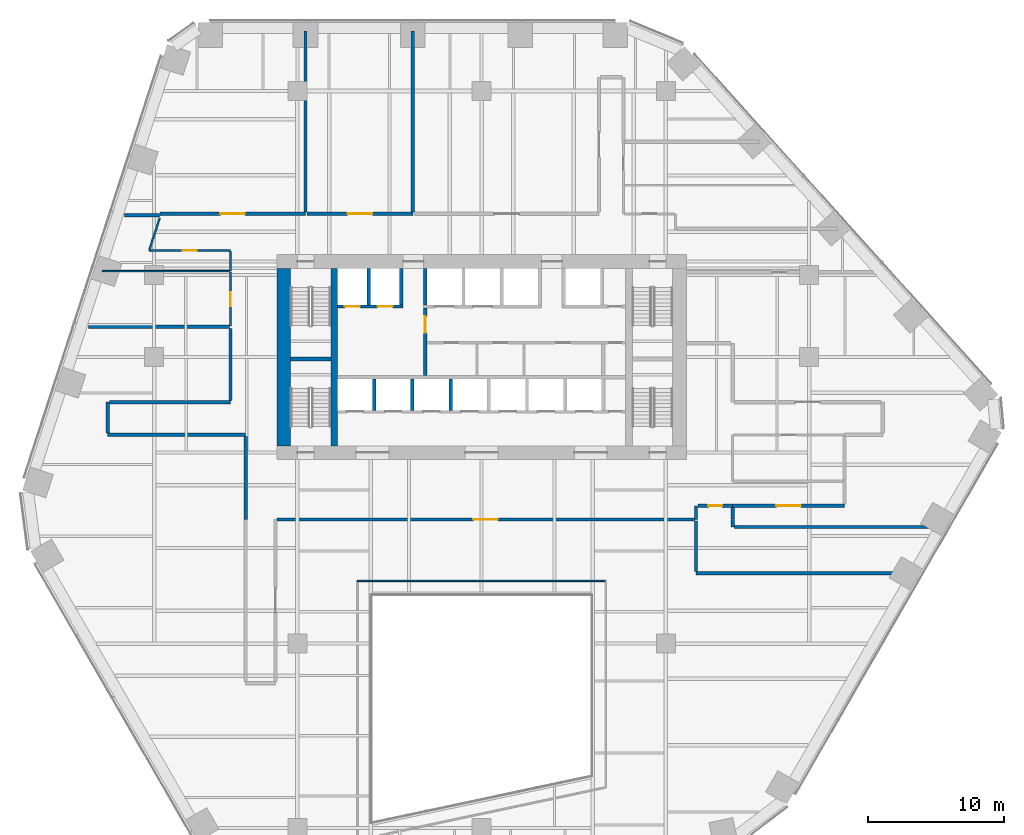
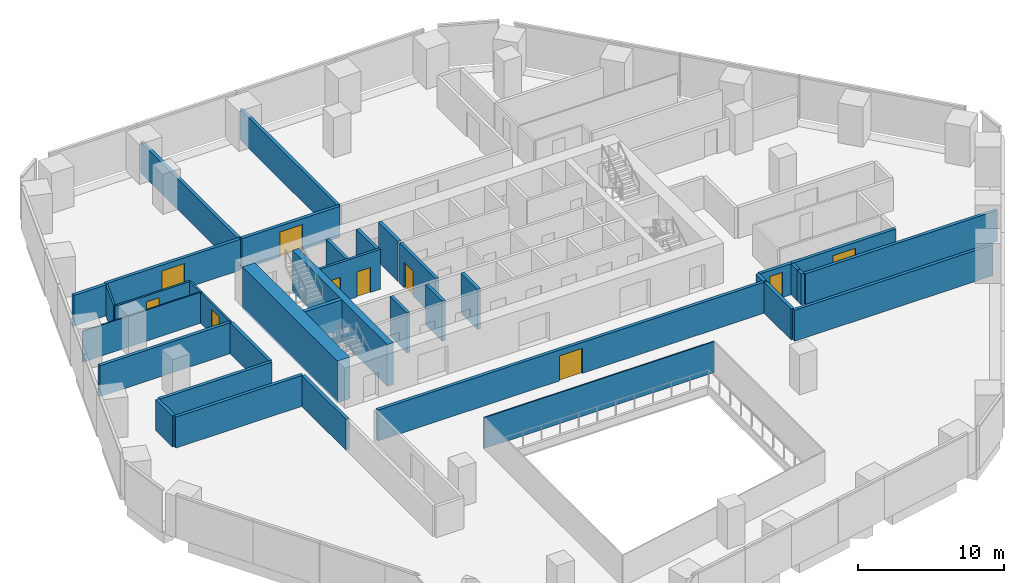
# One storey, part 14 of 20: 37 walls, 10 doors, 10 openings.
"""IFC4 building model written with IfcOpenShell, lengths in metres."""

import ifcopenshell
import ifcopenshell.guid

model = None  # the IFC model being written
_history = None  # IfcOwnerHistory: only IFC2X3 demands one
_inside = {}  # id of a spatial element -> (the spatial element, [elements in it])
_under = {}  # id of a project, library or spatial element -> (it, [spatial elements below it])
_declared = {}  # id of a project -> (the project, [libraries it declares])
_typed = {}  # id of a type object -> (the type object, [elements of that type])
_made_of = {}  # id of a material, layer set ... -> (it, [elements and type objects made of it])


def new_model(schema):
    """Start an empty IFC model of exactly this schema.

    Asked for "IFC4X3", IfcOpenShell would pick the latest addendum, in which some entities
    have other attributes; the version numbers below select the first issue.
    IFC2X3 requires an IfcOwnerHistory on every rooted entity: one is made here for all.
    """
    global model, _history
    if schema == "IFC4X3":
        model = ifcopenshell.file(schema_version=(4, 3, 0, 0))
    else:
        model = ifcopenshell.file(schema=schema)
    _inside.clear()
    _under.clear()
    _declared.clear()
    _typed.clear()
    _made_of.clear()
    _history = None
    if model.schema == "IFC2X3":
        org = make("IfcOrganization", Name="unknown")
        user = make(
            "IfcPersonAndOrganization",
            ThePerson=make("IfcPerson", FamilyName="unknown"),
            TheOrganization=org,
        )
        app = make(
            "IfcApplication",
            ApplicationDeveloper=org,
            Version="unknown",
            ApplicationFullName="unknown",
            ApplicationIdentifier="unknown",
        )
        _history = make(
            "IfcOwnerHistory",
            OwningUser=user,
            OwningApplication=app,
            ChangeAction="ADDED",
            CreationDate=0,
        )
    return model


def make(cls, **values):
    """One entity of the class cls with the attributes given. An attribute that is None is left unset."""
    return model.create_entity(
        cls, **{name: value for name, value in values.items() if value is not None}
    )


def rooted(cls, **values):
    """An entity with a GlobalId (a new one), such as an element, a storey or a relation."""
    return make(cls, GlobalId=ifcopenshell.guid.new(), OwnerHistory=_history, **values)


def si_unit(unit_type, name, prefix=None):
    """IfcSIUnit, for example si_unit("LENGTHUNIT", "METRE", prefix="MILLI")."""
    return make("IfcSIUnit", UnitType=unit_type, Prefix=prefix, Name=name)


def assignment(units):
    """IfcUnitAssignment: the units of a project."""
    return None if units is None else make("IfcUnitAssignment", Units=units)


def point(xyz):
    """IfcCartesianPoint."""
    return None if xyz is None else make("IfcCartesianPoint", Coordinates=xyz)


def direction(xyz):
    """IfcDirection."""
    return None if xyz is None else make("IfcDirection", DirectionRatios=xyz)


def frame(location, z_axis=None, x_axis=None):
    """IfcAxis2Placement3D, a coordinate frame: its origin and axes. An axis left out is left unset."""
    return make(
        "IfcAxis2Placement3D",
        Location=point(location),
        Axis=direction(z_axis),
        RefDirection=direction(x_axis),
    )


def frame_2d(location, x_axis=None):
    """IfcAxis2Placement2D, a coordinate frame in the plane: its origin and x axis."""
    return make(
        "IfcAxis2Placement2D", Location=point(location), RefDirection=direction(x_axis)
    )


def origin():
    """The frame at (0, 0, 0) with its axes left unset."""
    return frame((0.0, 0.0, 0.0))


def place(relative_to, where):
    """IfcLocalPlacement: puts the frame where relative to a parent placement (None: the world)."""
    return make(
        "IfcLocalPlacement", PlacementRelTo=relative_to, RelativePlacement=where
    )


def context(
    kind, dimensions, precision=None, world=None, true_north=None, identifier=None
):
    """IfcGeometricRepresentationContext, for example the 3D "Model" context."""
    return make(
        "IfcGeometricRepresentationContext",
        ContextIdentifier=identifier,
        ContextType=kind,
        CoordinateSpaceDimension=dimensions,
        Precision=precision,
        WorldCoordinateSystem=world,
        TrueNorth=true_north,
    )


def subcontext(parent, identifier, kind, view, scale=None):
    """IfcGeometricRepresentationSubContext, for example "Body" below "Model"."""
    return make(
        "IfcGeometricRepresentationSubContext",
        ContextIdentifier=identifier,
        ContextType=kind,
        ParentContext=parent,
        TargetScale=scale,
        TargetView=view,
    )


def project(units=None, contexts=None):
    """IfcProject with its units and contexts."""
    return rooted(
        "IfcProject",
        Name="project",
        RepresentationContexts=contexts,
        UnitsInContext=assignment(units),
    )


def spatial(cls, under=None, at=None, **own):
    """A site, building, storey or space (cls), placed at a placement, below another one or the project."""
    s = rooted(cls, ObjectPlacement=at, **own)
    if under is not None:
        _under.setdefault(under.id(), (under, []))[1].append(s)
    return s


def profile(cls, at=None, kind="AREA", **sizes):
    """A parametric profile (cls). Its sizes go by their IFC names, for example OverallWidth=200.0."""
    return make(cls, ProfileType=kind, Position=at, **sizes)


def rectangle(**sizes):
    """IfcRectangleProfileDef."""
    return profile("IfcRectangleProfileDef", **sizes)


def extrude(swept, where, along, depth):
    """IfcExtrudedAreaSolid: the profile swept, set in the frame where, extruded along a direction by depth."""
    return make(
        "IfcExtrudedAreaSolid",
        SweptArea=swept,
        Position=where,
        ExtrudedDirection=direction(along),
        Depth=depth,
    )


def shape(context_of_items, identifier, shape_type, items):
    """IfcShapeRepresentation: the items that make up one representation, for example the "Body"."""
    return make(
        "IfcShapeRepresentation",
        ContextOfItems=context_of_items,
        RepresentationIdentifier=identifier,
        RepresentationType=shape_type,
        Items=items,
    )


def material(Name=None, Category=None):
    """IfcMaterial."""
    return make("IfcMaterial", Name=Name, Category=Category)


def layer(
    of_material, thickness, ventilated=None, Name=None, Category=None, Priority=None
):
    """IfcMaterialLayer: one layer of a wall or slab, of a material (None: an air gap)."""
    return make(
        "IfcMaterialLayer",
        Material=of_material,
        LayerThickness=thickness,
        IsVentilated=ventilated,
        Name=Name,
        Category=Category,
        Priority=Priority,
    )


def layer_set(layers, Name=None):
    """IfcMaterialLayerSet."""
    return make("IfcMaterialLayerSet", MaterialLayers=layers, LayerSetName=Name)


def made_of(thing, what):
    """Note that an element or type object is made of a material, layer set ...; save() writes the relation."""
    if what is not None:
        _made_of.setdefault(what.id(), (what, []))[1].append(thing)
    return thing


def type_object(cls, material=None, **own):
    """A type object (cls), such as IfcWallType, which elements share."""
    return made_of(rooted(cls, **own), material)


def element(
    cls,
    number,
    at=None,
    inside=None,
    cuts=None,
    type_object=None,
    material=None,
    context=None,
    identifier="Body",
    shape_type=None,
    held_by="IfcProductDefinitionShape",
    body=None,
    shapes=None,
    **own,
):
    """One element of the class cls, such as IfcWall. Its Tag is "e" and its number.

    at: its placement. inside: the storey or other place that contains it. cuts: it is an
    opening in that element (IfcRelVoidsElement). A single representation is given by context,
    identifier, shape_type and body (its items); several are given by shapes. held_by: the class
    of the entity that holds the representations. save() writes the other relations.
    """
    e = rooted(cls, Tag="e%d" % number, ObjectPlacement=at, **own)
    if body is not None:
        shapes = [shape(context, identifier, shape_type, body)]
    if shapes is not None:
        e.Representation = make(held_by, Representations=shapes)
    if inside is not None:
        _inside.setdefault(inside.id(), (inside, []))[1].append(e)
    if cuts is not None:
        rooted(
            "IfcRelVoidsElement", RelatingBuildingElement=cuts, RelatedOpeningElement=e
        )
    if type_object is not None:
        _typed.setdefault(type_object.id(), (type_object, []))[1].append(e)
    return made_of(e, material)


def fill(opening, filler):
    """IfcRelFillsElement: the door or window that sits in an opening."""
    return rooted(
        "IfcRelFillsElement",
        RelatingOpeningElement=opening,
        RelatedBuildingElement=filler,
    )


def aggregate(whole, parts):
    """IfcRelAggregates: a whole, such as a stair, and the parts it consists of."""
    return rooted("IfcRelAggregates", RelatingObject=whole, RelatedObjects=parts)


def save(model, path):
    """Write the relations noted so far, then the file.

    IfcRelAggregates (storeys below a building ...), IfcRelContainedInSpatialStructure (elements
    in a storey), IfcRelDefinesByType, IfcRelAssociatesMaterial and IfcRelDeclares: one each for
    every whole, place, type object, material and project.
    """
    for whole, parts in _under.values():
        aggregate(whole, parts)
    for where, things in _inside.values():
        rooted(
            "IfcRelContainedInSpatialStructure",
            RelatedElements=things,
            RelatingStructure=where,
        )
    for kind, things in _typed.values():
        rooted("IfcRelDefinesByType", RelatedObjects=things, RelatingType=kind)
    for what, things in _made_of.values():
        rooted("IfcRelAssociatesMaterial", RelatedObjects=things, RelatingMaterial=what)
    for by, libraries in _declared.values():
        rooted("IfcRelDeclares", RelatingContext=by, RelatedDefinitions=libraries)
    model.write(path)


model = new_model("IFC4")

# Units and contexts
model_context = context("Model", 3, precision=1e-05, world=origin(), true_north=direction((0.0, 1.0)))
body_context = subcontext(model_context, "Body", "Model", "MODEL_VIEW")
ifc_project = project(units=[si_unit("LENGTHUNIT", "METRE"), si_unit("AREAUNIT", "SQUARE_METRE"), si_unit("VOLUMEUNIT", "CUBIC_METRE"), si_unit("PLANEANGLEUNIT", "RADIAN"), si_unit("MASSUNIT", "GRAM", prefix="KILO")], contexts=[model_context])

# Site, building, storey
site_placement = place(None, origin())
site = spatial("IfcSite", under=ifc_project, at=site_placement, CompositionType="ELEMENT")
building_placement = place(site_placement, origin())
building = spatial("IfcBuilding", under=site, at=building_placement, Name="Isthmus Gate Tower", CompositionType="ELEMENT")
storey_placement = place(building_placement, frame((0.0, 0.0, 72.5)))
storey = spatial("IfcBuildingStorey", under=building, at=storey_placement, Name="L16", CompositionType="ELEMENT", Elevation=72.5)

# Wall
ifc_material_1 = material(Name="Double-leaf acoustic stud wall, fire-rated", Category="gypsum")
ifc_layer_1 = layer(ifc_material_1, 0.25)
ifc_layer_set_1 = layer_set([ifc_layer_1], Name="ACOUSTIC WALL 250 60 MIN")
wall_type_1 = type_object("IfcWallType", Name="ACOUSTIC WALL 250 60 MIN", PredefinedType="PARTITIONING", material=ifc_layer_set_1)
wall_1_placement = place(storey_placement, frame((15.712890625, -3.39990234375, 0.0), z_axis=(0.0, 0.0, 1.0), x_axis=(0.0, -1.0, 0.0)))
element("IfcWall", 1, at=wall_1_placement, inside=storey, type_object=wall_type_1, Name="L16 Acoustic Wall 250 60 Min", PredefinedType="PARTITIONING", context=body_context, shape_type="SweptSolid", body=[
    extrude(rectangle(XDim=1.0, YDim=0.25, at=frame_2d((0.5, 0.0))), origin(), (0.0, 0.0, 1.0), 2.59130859375),
])

# Wall, opening, door
wall_2_placement = place(storey_placement, frame((15.587890625, -4.39990234375, 0.0), z_axis=(0.0, 0.0, 1.0), x_axis=(-1.0, 0.0, 0.0)))
wall_2 = element("IfcWall", 2, at=wall_2_placement, inside=storey, type_object=wall_type_1, Name="L16 Acoustic Wall 250 60 Min", PredefinedType="PARTITIONING", context=body_context, shape_type="SweptSolid", body=[
    extrude(rectangle(XDim=30.56298828125, YDim=0.25, at=frame_2d((15.281494140625, 0.0))), origin(), (0.0, 0.0, 1.0), 2.59130859375),
])
opening_1_placement = place(wall_2_placement, frame((14.39404296875, 0.0, 0.0)))
opening_1 = element("IfcOpeningElement", 3, at=opening_1_placement, cuts=wall_2, Name="Opening DT-T1D-14", PredefinedType="OPENING", context=body_context, shape_type="SweptSolid", body=[
    extrude(rectangle(XDim=1.800048828125, YDim=2.10009765625, at=frame_2d((0.89990234375, 1.050048828125))), frame((0.0, 0.135009765625, 0.0), z_axis=(0.0, -1.0, 0.0), x_axis=(1.0, 0.0, 0.0)), (0.0, 0.0, 1.0), 0.27001953125),
])
ifc_material_2 = material(Name="Solid core timber door leaf, fire-rated", Category="wood")
door_type_1 = type_object("IfcDoorType", Name="FIRE DOOR ACOUSTIC ROOM 1800 X 2100 60 MIN", OperationType="DOUBLE_DOOR_DOUBLE_SWING", PredefinedType="DOOR", material=ifc_material_2)
door_1_placement = place(opening_1_placement, origin())
door_1 = element("IfcDoor", 4, at=door_1_placement, inside=storey, type_object=door_type_1, Name="L16 room door", OperationType="DOUBLE_DOOR_DOUBLE_SWING", OverallHeight=2.10009765625, OverallWidth=1.800048828125, PredefinedType="DOOR", context=body_context, shape_type="SweptSolid", body=[
    extrude(rectangle(XDim=1.800048828125, YDim=2.10009765625, at=frame_2d((0.89990234375, 1.050048828125))), frame((0.0, 0.02490234375, 0.0), z_axis=(0.0, -1.0, 0.0), x_axis=(1.0, 0.0, 0.0)), (0.0, 0.0, 1.0), 0.050048828125),
])
fill(opening_1, door_1)

# Wall
wall_3_placement = place(storey_placement, frame((-17.298095703125, 1.802001953125, 0.0), z_axis=(0.0, 0.0, 1.0), x_axis=(-0.999999981309, -0.000193344125, 0.0)))
element("IfcWall", 5, at=wall_3_placement, inside=storey, type_object=wall_type_1, Name="L16 Acoustic Wall 250 60 Min", PredefinedType="PARTITIONING", context=body_context, shape_type="SweptSolid", body=[
    extrude(rectangle(XDim=10.101806640625, YDim=0.25, at=frame_2d((5.05078125, 0.0))), origin(), (0.0, 0.0, 1.0), 2.59130859375),
])

# Wall, opening, door
wall_4_placement = place(storey_placement, frame((26.590087890625, -3.39990234375, 0.0), z_axis=(0.0, 0.0, 1.0), x_axis=(-1.0, 0.0, 0.0)))
wall_4 = element("IfcWall", 6, at=wall_4_placement, inside=storey, type_object=wall_type_1, Name="L16 Acoustic Wall 250 60 Min", PredefinedType="PARTITIONING", context=body_context, shape_type="SweptSolid", body=[
    extrude(rectangle(XDim=8.18798828125, YDim=0.25, at=frame_2d((4.093994140625, 0.0))), origin(), (0.0, 0.0, 1.0), 2.59130859375),
])
opening_2_placement = place(wall_4_placement, frame((3.194091796875, 0.0, 0.0)))
opening_2 = element("IfcOpeningElement", 7, at=opening_2_placement, cuts=wall_4, Name="Opening DT-T1D-11", PredefinedType="OPENING", context=body_context, shape_type="SweptSolid", body=[
    extrude(rectangle(XDim=1.800048828125, YDim=2.10009765625, at=frame_2d((0.89990234375, 1.050048828125))), frame((0.0, 0.135009765625, 0.0), z_axis=(0.0, -1.0, 0.0), x_axis=(1.0, 0.0, 0.0)), (0.0, 0.0, 1.0), 0.27001953125),
])
door_2_placement = place(opening_2_placement, origin())
door_2 = element("IfcDoor", 8, at=door_2_placement, inside=storey, type_object=door_type_1, Name="L16 room door", OperationType="DOUBLE_DOOR_DOUBLE_SWING", OverallHeight=2.10009765625, OverallWidth=1.800048828125, PredefinedType="DOOR", context=body_context, shape_type="SweptSolid", body=[
    extrude(rectangle(XDim=1.800048828125, YDim=2.10009765625, at=frame_2d((0.89990234375, 1.050048828125))), frame((0.0, 0.02490234375, 0.0), z_axis=(0.0, -1.0, 0.0), x_axis=(1.0, 0.0, 0.0)), (0.0, 0.0, 1.0), 0.050048828125),
])
fill(opening_2, door_2)

wall_5_placement = place(storey_placement, frame((18.402099609375, -3.39794921875, 0.0), z_axis=(0.0, 0.0, 1.0), x_axis=(-1.0, 0.0, 0.0)))
wall_5 = element("IfcWall", 9, at=wall_5_placement, inside=storey, type_object=wall_type_1, Name="L16 Acoustic Wall 250 60 Min", PredefinedType="PARTITIONING", context=body_context, shape_type="SweptSolid", body=[
    extrude(rectangle(XDim=2.56201171875, YDim=0.25, at=frame_2d((1.281005859375, 0.0))), origin(), (0.0, 0.0, 1.0), 2.59130859375),
])
opening_3_placement = place(wall_5_placement, frame((0.781005859375, 0.0, 0.0)))
opening_3 = element("IfcOpeningElement", 10, at=opening_3_placement, cuts=wall_5, Name="Opening DT-T1D-13", PredefinedType="OPENING", context=body_context, shape_type="SweptSolid", body=[
    extrude(rectangle(XDim=1.0, YDim=2.10009765625, at=frame_2d((0.5, 1.050048828125))), frame((0.0, 0.135009765625, 0.0), z_axis=(0.0, -1.0, 0.0), x_axis=(1.0, 0.0, 0.0)), (0.0, 0.0, 1.0), 0.27001953125),
])
ifc_material_3 = material(Name="Solid core timber door leaf, fire-rated", Category="wood")
door_type_2 = type_object("IfcDoorType", Name="FIRE DOOR ACOUSTIC ROOM 1000 X 2100 60 MIN", OperationType="SINGLE_SWING_LEFT", PredefinedType="DOOR", material=ifc_material_3)
door_3_placement = place(opening_3_placement, origin())
door_3 = element("IfcDoor", 11, at=door_3_placement, inside=storey, type_object=door_type_2, Name="L16 room door", OperationType="SINGLE_SWING_RIGHT", OverallHeight=2.10009765625, OverallWidth=1.0, PredefinedType="DOOR", context=body_context, shape_type="SweptSolid", body=[
    extrude(rectangle(XDim=1.0, YDim=2.10009765625, at=frame_2d((0.5, 1.050048828125))), frame((0.0, 0.02490234375, 0.0), z_axis=(0.0, -1.0, 0.0), x_axis=(1.0, 0.0, 0.0)), (0.0, 0.0, 1.0), 0.050048828125),
])
fill(opening_3, door_3)

wall_6_placement = place(storey_placement, frame((-23.5849609375, 18.0, 0.0), z_axis=(0.0, 0.0, 1.0), x_axis=(1.0, 0.0, 0.0)))
wall_6 = element("IfcWall", 12, at=wall_6_placement, inside=storey, type_object=wall_type_1, Name="L16 Acoustic Wall 250 60 Min", PredefinedType="PARTITIONING", context=body_context, shape_type="SweptSolid", body=[
    extrude(rectangle(XDim=10.677978515625, YDim=0.25, at=frame_2d((5.3388671875, 0.0))), origin(), (0.0, 0.0, 1.0), 2.59130859375),
])
opening_4_placement = place(wall_6_placement, frame((4.43896484375, 0.0, 0.0)))
opening_4 = element("IfcOpeningElement", 13, at=opening_4_placement, cuts=wall_6, Name="Opening DT-T1D-01", PredefinedType="OPENING", context=body_context, shape_type="SweptSolid", body=[
    extrude(rectangle(XDim=1.800048828125, YDim=2.10009765625, at=frame_2d((0.89990234375, 1.050048828125))), frame((0.0, 0.135009765625, 0.0), z_axis=(0.0, -1.0, 0.0), x_axis=(1.0, 0.0, 0.0)), (0.0, 0.0, 1.0), 0.27001953125),
])
door_4_placement = place(opening_4_placement, origin())
door_4 = element("IfcDoor", 14, at=door_4_placement, inside=storey, type_object=door_type_1, Name="L16 room door", OperationType="DOUBLE_DOOR_DOUBLE_SWING", OverallHeight=2.10009765625, OverallWidth=1.800048828125, PredefinedType="DOOR", context=body_context, shape_type="SweptSolid", body=[
    extrude(rectangle(XDim=1.800048828125, YDim=2.10009765625, at=frame_2d((0.89990234375, 1.050048828125))), frame((0.0, 0.02490234375, 0.0), z_axis=(0.0, -1.0, 0.0), x_axis=(1.0, 0.0, 0.0)), (0.0, 0.0, 1.0), 0.050048828125),
])
fill(opening_4, door_4)

# Walls
wall_7_placement = place(storey_placement, frame((-12.906982421875, 18.125, 0.0), z_axis=(0.0, 0.0, 1.0), x_axis=(0.0, 1.0, 0.0)))
element("IfcWall", 15, at=wall_7_placement, inside=storey, type_object=wall_type_1, Name="L16 Acoustic Wall 250 60 Min", PredefinedType="PARTITIONING", context=body_context, shape_type="SweptSolid", body=[
    extrude(rectangle(XDim=13.27490234375, YDim=0.25, at=frame_2d((6.637451171875, 0.0))), origin(), (0.0, 0.0, 1.0), 2.59130859375),
])
wall_8_placement = place(storey_placement, frame((-26.169921875, 17.883056640625, 0.0), z_axis=(0.0, 0.0, 1.0), x_axis=(1.0, 0.0, 0.0)))
element("IfcWall", 16, at=wall_8_placement, inside=storey, type_object=wall_type_1, Name="L16 Acoustic Wall 250 60 Min", PredefinedType="PARTITIONING", context=body_context, shape_type="SweptSolid", body=[
    extrude(rectangle(XDim=2.5830078125, YDim=0.25, at=frame_2d((1.29150390625, 0.0))), origin(), (0.0, 0.0, 1.0), 2.59130859375),
])

# Wall, opening, door
wall_9_placement = place(storey_placement, frame((-12.781982421875, 18.0, 0.0), z_axis=(0.0, 0.0, 1.0), x_axis=(1.0, 0.0, 0.0)))
wall_9 = element("IfcWall", 17, at=wall_9_placement, inside=storey, type_object=wall_type_1, Name="L16 Acoustic Wall 250 60 Min", PredefinedType="PARTITIONING", context=body_context, shape_type="SweptSolid", body=[
    extrude(rectangle(XDim=7.744873046875, YDim=0.25, at=frame_2d((3.87255859375, 0.0))), origin(), (0.0, 0.0, 1.0), 2.59130859375),
])
opening_5_placement = place(wall_9_placement, frame((2.972412109375, 0.0, 0.0)))
opening_5 = element("IfcOpeningElement", 18, at=opening_5_placement, cuts=wall_9, Name="Opening DT-T1D-02", PredefinedType="OPENING", context=body_context, shape_type="SweptSolid", body=[
    extrude(rectangle(XDim=1.800048828125, YDim=2.10009765625, at=frame_2d((0.89990234375, 1.050048828125))), frame((0.0, 0.135009765625, 0.0), z_axis=(0.0, -1.0, 0.0), x_axis=(1.0, 0.0, 0.0)), (0.0, 0.0, 1.0), 0.27001953125),
])
door_5_placement = place(opening_5_placement, origin())
door_5 = element("IfcDoor", 19, at=door_5_placement, inside=storey, type_object=door_type_1, Name="L16 room door", OperationType="DOUBLE_DOOR_DOUBLE_SWING", OverallHeight=2.10009765625, OverallWidth=1.800048828125, PredefinedType="DOOR", context=body_context, shape_type="SweptSolid", body=[
    extrude(rectangle(XDim=1.800048828125, YDim=2.10009765625, at=frame_2d((0.89990234375, 1.050048828125))), frame((0.0, 0.02490234375, 0.0), z_axis=(0.0, -1.0, 0.0), x_axis=(1.0, 0.0, 0.0)), (0.0, 0.0, 1.0), 0.050048828125),
])
fill(opening_5, door_5)

# Walls
wall_10_placement = place(storey_placement, frame((-5.037109375, 18.125, 0.0), z_axis=(0.0, 0.0, 1.0), x_axis=(0.0, 1.0, 0.0)))
element("IfcWall", 20, at=wall_10_placement, inside=storey, type_object=wall_type_1, Name="L16 Acoustic Wall 250 60 Min", PredefinedType="PARTITIONING", context=body_context, shape_type="SweptSolid", body=[
    extrude(rectangle(XDim=13.27490234375, YDim=0.25, at=frame_2d((6.637451171875, 0.0))), origin(), (0.0, 0.0, 1.0), 2.59130859375),
])
wall_11_placement = place(storey_placement, frame((-28.823974609375, 9.714111328125, 0.0), z_axis=(0.0, 0.0, 1.0), x_axis=(1.0, 0.0, 0.0)))
element("IfcWall", 21, at=wall_11_placement, inside=storey, type_object=wall_type_1, Name="L16 Acoustic Wall 250 60 Min", PredefinedType="PARTITIONING", context=body_context, shape_type="SweptSolid", body=[
    extrude(rectangle(XDim=10.348876953125, YDim=0.25, at=frame_2d((5.17431640625, 0.0))), origin(), (0.0, 0.0, 1.0), 2.59130859375),
])
wall_12_placement = place(storey_placement, frame((18.39794921875, -4.39990234375, 0.0), z_axis=(0.0, 0.0, 1.0), x_axis=(0.003550798743, -0.999993695894, 0.0)))
element("IfcWall", 22, at=wall_12_placement, inside=storey, type_object=wall_type_1, Name="L16 Acoustic Wall 250 60 Min", PredefinedType="PARTITIONING", context=body_context, shape_type="SweptSolid", body=[
    extrude(rectangle(XDim=0.550048828125, YDim=0.25, at=frame_2d((0.27490234375, 0.0))), origin(), (0.0, 0.0, 1.0), 2.59130859375),
])
wall_13_placement = place(storey_placement, frame((18.52490234375, -4.949951171875, 0.0), z_axis=(0.0, 0.0, 1.0), x_axis=(1.0, 0.0, 0.0)))
element("IfcWall", 23, at=wall_13_placement, inside=storey, type_object=wall_type_1, Name="L16 Acoustic Wall 250 60 Min", PredefinedType="PARTITIONING", context=body_context, shape_type="SweptSolid", body=[
    extrude(rectangle(XDim=15.2080078125, YDim=0.25, at=frame_2d((7.60400390625, 0.0))), origin(), (0.0, 0.0, 1.0), 2.59130859375),
])
wall_14_placement = place(storey_placement, frame((18.39990234375, -4.3720703125, 0.0), z_axis=(0.0, 0.0, 1.0), x_axis=(0.002017286962, 0.999997965275, 0.0)))
element("IfcWall", 24, at=wall_14_placement, inside=storey, type_object=wall_type_1, Name="L16 Acoustic Wall 250 60 Min", PredefinedType="PARTITIONING", context=body_context, shape_type="SweptSolid", body=[
    extrude(rectangle(XDim=0.84716796875, YDim=0.25, at=frame_2d((0.423583984375, 0.0))), origin(), (0.0, 0.0, 1.0), 2.59130859375),
])
wall_15_placement = place(storey_placement, frame((15.712890625, -8.35009765625, 0.0), z_axis=(0.0, 0.0, 1.0), x_axis=(1.0, 0.0, 0.0)))
element("IfcWall", 25, at=wall_15_placement, inside=storey, type_object=wall_type_1, Name="L16 Acoustic Wall 250 60 Min", PredefinedType="PARTITIONING", context=body_context, shape_type="SweptSolid", body=[
    extrude(rectangle(XDim=15.72412109375, YDim=0.25, at=frame_2d((7.862060546875, 0.0))), origin(), (0.0, 0.0, 1.0), 2.59130859375),
])
wall_16_placement = place(storey_placement, frame((-27.39990234375, 1.925048828125, 0.0), z_axis=(0.0, 0.0, 1.0), x_axis=(0.0, 1.0, 0.0)))
element("IfcWall", 26, at=wall_16_placement, inside=storey, type_object=wall_type_1, Name="L16 Acoustic Wall 250 60 Min", PredefinedType="PARTITIONING", context=body_context, shape_type="SweptSolid", body=[
    extrude(rectangle(XDim=2.27490234375, YDim=0.25, at=frame_2d((1.137451171875, 0.0))), origin(), (0.0, 0.0, 1.0), 2.59130859375),
])
wall_17_placement = place(storey_placement, frame((-27.27490234375, 4.199951171875, 0.0), z_axis=(0.0, 0.0, 1.0), x_axis=(1.0, 0.0, 0.0)))
element("IfcWall", 27, at=wall_17_placement, inside=storey, type_object=wall_type_1, Name="L16 Acoustic Wall 250 60 Min", PredefinedType="PARTITIONING", context=body_context, shape_type="SweptSolid", body=[
    extrude(rectangle(XDim=8.875, YDim=0.25, at=frame_2d((4.4375, 0.0))), origin(), (0.0, 0.0, 1.0), 2.59130859375),
])
wall_18_placement = place(storey_placement, frame((-18.39990234375, 4.324951171875, 0.0), z_axis=(0.0, 0.0, 1.0), x_axis=(0.0, 1.0, 0.0)))
element("IfcWall", 28, at=wall_18_placement, inside=storey, type_object=wall_type_1, Name="L16 Acoustic Wall 250 60 Min", PredefinedType="PARTITIONING", context=body_context, shape_type="SweptSolid", body=[
    extrude(rectangle(XDim=5.26416015625, YDim=0.25, at=frame_2d((2.632080078125, 0.0))), origin(), (0.0, 0.0, 1.0), 2.59130859375),
])
wall_19_placement = place(storey_placement, frame((-17.298095703125, -4.402099609375, 0.0), z_axis=(0.0, 0.0, 1.0), x_axis=(0.0, 1.0, 0.0)))
element("IfcWall", 29, at=wall_19_placement, inside=storey, type_object=wall_type_1, Name="L16 Acoustic Wall 250 60 Min", PredefinedType="PARTITIONING", context=body_context, shape_type="SweptSolid", body=[
    extrude(rectangle(XDim=6.0791015625, YDim=0.25, at=frame_2d((3.03955078125, 0.0))), origin(), (0.0, 0.0, 1.0), 2.59130859375),
])
wall_20_placement = place(storey_placement, frame((15.712890625, -4.52490234375, 0.0), z_axis=(0.0, 0.0, 1.0), x_axis=(0.0, -1.0, 0.0)))
element("IfcWall", 30, at=wall_20_placement, inside=storey, type_object=wall_type_1, Name="L16 Acoustic Wall 250 60 Min", PredefinedType="PARTITIONING", context=body_context, shape_type="SweptSolid", body=[
    extrude(rectangle(XDim=3.7001953125, YDim=0.25, at=frame_2d((1.85009765625, 0.0))), origin(), (0.0, 0.0, 1.0), 2.59130859375),
])
ifc_material_4 = material(Name="Fire-rated laminated glass in steel frame", Category="steel")
ifc_layer_2 = layer(ifc_material_4, 0.10009765625)
ifc_layer_set_2 = layer_set([ifc_layer_2], Name="ATRIUM SCREEN GLAZED WALL 100 120 MIN")
wall_type_2 = type_object("IfcWallType", Name="ATRIUM SCREEN GLAZED WALL 100 120 MIN", PredefinedType="PARTITIONING", material=ifc_layer_set_2)
wall_21_placement = place(storey_placement, frame((-9.10009765625, -8.89990234375, 0.0), z_axis=(0.0, 0.0, 1.0), x_axis=(1.0, 0.0, 0.0)))
element("IfcWall", 31, at=wall_21_placement, inside=storey, type_object=wall_type_2, Name="L16 atrium screen", PredefinedType="PARTITIONING", context=body_context, shape_type="SweptSolid", body=[
    extrude(rectangle(XDim=18.2001953125, YDim=0.10009765625, at=frame_2d((9.10009765625, 0.0))), origin(), (0.0, 0.0, 1.0), 2.59130859375),
])

# Wall, opening, door
ifc_material_5 = material(Name="Gypsum board on steel studs, fire-rated", Category="steel")
ifc_layer_3 = layer(ifc_material_5, 0.14990234375)
ifc_layer_set_3 = layer_set([ifc_layer_3], Name="CORRIDOR WALL 150 60 MIN")
wall_type_3 = type_object("IfcWallType", Name="CORRIDOR WALL 150 60 MIN", PredefinedType="PARTITIONING", material=ifc_layer_set_3)
wall_22_placement = place(storey_placement, frame((-18.39990234375, 15.300048828125, 0.0), z_axis=(0.0, 0.0, 1.0), x_axis=(-1.0, 0.0, 0.0)))
wall_22 = element("IfcWall", 32, at=wall_22_placement, inside=storey, type_object=wall_type_3, Name="L16 Corridor Wall 150 60 Min", PredefinedType="PARTITIONING", context=body_context, shape_type="SweptSolid", body=[
    extrude(rectangle(XDim=5.965087890625, YDim=0.14990234375, at=frame_2d((2.982421875, 0.0))), origin(), (0.0, 0.0, 1.0), 2.59130859375),
])
opening_6_placement = place(wall_22_placement, frame((2.482421875, 0.0, 0.0)))
opening_6 = element("IfcOpeningElement", 33, at=opening_6_placement, cuts=wall_22, Name="Opening DT-T1D-06", PredefinedType="OPENING", context=body_context, shape_type="SweptSolid", body=[
    extrude(rectangle(XDim=1.0, YDim=2.10009765625, at=frame_2d((0.5, 1.050048828125))), frame((0.0, 0.0849609375, 0.0), z_axis=(0.0, -1.0, 0.0), x_axis=(1.0, 0.0, 0.0)), (0.0, 0.0, 1.0), 0.169921875),
])
ifc_material_6 = material(Name="Solid core timber door leaf, fire-rated", Category="wood")
door_type_3 = type_object("IfcDoorType", Name="FIRE DOOR ROOM 1000 X 2100 60 MIN", OperationType="SINGLE_SWING_LEFT", PredefinedType="DOOR", material=ifc_material_6)
door_6_placement = place(opening_6_placement, origin())
door_6 = element("IfcDoor", 34, at=door_6_placement, inside=storey, type_object=door_type_3, Name="L16 room door", OperationType="SINGLE_SWING_RIGHT", OverallHeight=2.10009765625, OverallWidth=1.0, PredefinedType="DOOR", context=body_context, shape_type="SweptSolid", body=[
    extrude(rectangle(XDim=1.0, YDim=2.10009765625, at=frame_2d((0.5, 1.050048828125))), frame((0.0, 0.02490234375, 0.0), z_axis=(0.0, -1.0, 0.0), x_axis=(1.0, 0.0, 0.0)), (0.0, 0.0, 1.0), 0.050048828125),
])
fill(opening_6, door_6)

# Walls
wall_23_placement = place(storey_placement, frame((-24.341796875, 15.371337890625, 0.0), z_axis=(0.0, 0.0, 1.0), x_axis=(0.309099599888, 0.951029672171, 0.0)))
element("IfcWall", 35, at=wall_23_placement, inside=storey, type_object=wall_type_3, Name="L16 Corridor Wall 150 60 Min", PredefinedType="PARTITIONING", context=body_context, shape_type="SweptSolid", body=[
    extrude(rectangle(XDim=2.448486328125, YDim=0.14990234375, at=frame_2d((1.22412109375, 0.0))), origin(), (0.0, 0.0, 1.0), 2.59130859375),
])
wall_24_placement = place(storey_placement, frame((-18.39990234375, 13.799072265625, 0.0), z_axis=(0.0, 0.0, 1.0), x_axis=(0.0, 1.0, 0.0)))
element("IfcWall", 36, at=wall_24_placement, inside=storey, type_object=wall_type_3, Name="L16 Corridor Wall 150 60 Min", PredefinedType="PARTITIONING", context=body_context, shape_type="SweptSolid", body=[
    extrude(rectangle(XDim=1.426025390625, YDim=0.14990234375, at=frame_2d((0.712890625, 0.0))), origin(), (0.0, 0.0, 1.0), 2.59130859375),
])

# Wall, opening, door
wall_25_placement = place(storey_placement, frame((-18.39990234375, 9.763916015625, 0.0), z_axis=(0.0, 0.0, 1.0), x_axis=(0.0, 1.0, 0.0)))
wall_25 = element("IfcWall", 37, at=wall_25_placement, inside=storey, type_object=wall_type_3, Name="L16 Corridor Wall 150 60 Min", PredefinedType="PARTITIONING", context=body_context, shape_type="SweptSolid", body=[
    extrude(rectangle(XDim=3.985107421875, YDim=0.14990234375, at=frame_2d((1.99267578125, 0.0))), origin(), (0.0, 0.0, 1.0), 2.59130859375),
])
opening_7_placement = place(wall_25_placement, frame((1.467529296875, 0.0, 0.0)))
opening_7 = element("IfcOpeningElement", 38, at=opening_7_placement, cuts=wall_25, Name="Opening DT-T1D-09", PredefinedType="OPENING", context=body_context, shape_type="SweptSolid", body=[
    extrude(rectangle(XDim=1.0, YDim=2.10009765625, at=frame_2d((0.5, 1.050048828125))), frame((0.0, 0.0849609375, 0.0), z_axis=(0.0, -1.0, 0.0), x_axis=(1.0, 0.0, 0.0)), (0.0, 0.0, 1.0), 0.169921875),
])
door_7_placement = place(opening_7_placement, origin())
door_7 = element("IfcDoor", 39, at=door_7_placement, inside=storey, type_object=door_type_3, Name="L16 room door", OperationType="SINGLE_SWING_RIGHT", OverallHeight=2.10009765625, OverallWidth=1.0, PredefinedType="DOOR", context=body_context, shape_type="SweptSolid", body=[
    extrude(rectangle(XDim=1.0, YDim=2.10009765625, at=frame_2d((0.5, 1.050048828125))), frame((0.0, 0.02490234375, 0.0), z_axis=(0.0, -1.0, 0.0), x_axis=(1.0, 0.0, 0.0)), (0.0, 0.0, 1.0), 0.050048828125),
])
fill(opening_7, door_7)

ifc_material_7 = material(Name="Fire-rated blockwork masonry, 15 MPa", Category="masonry")
ifc_layer_4 = layer(ifc_material_7, 0.25)
ifc_layer_set_4 = layer_set([ifc_layer_4], Name="FIRE-FIGHTING LOBBY WALL 250 90 MIN")
wall_type_4 = type_object("IfcWallType", Name="FIRE-FIGHTING LOBBY WALL 250 90 MIN", PredefinedType="PARTITIONING", material=ifc_layer_set_4)
wall_26_placement = place(storey_placement, frame((-4.125, 6.14990234375, 0.0), z_axis=(0.0, 0.0, 1.0), x_axis=(0.0, 1.0, 0.0)))
wall_26 = element("IfcWall", 40, at=wall_26_placement, inside=storey, type_object=wall_type_4, Name="L16 FIRE-FIGHTING LOBBY WALL 250 90 MIN", PredefinedType="PARTITIONING", context=body_context, shape_type="SweptSolid", body=[
    extrude(rectangle(XDim=4.9501953125, YDim=0.25, at=frame_2d((2.47509765625, 0.0))), origin(), (0.0, 0.0, 1.0), 3.35009765625),
])
opening_8_placement = place(wall_26_placement, frame((3.125, 0.0, 0.0)))
opening_8 = element("IfcOpeningElement", 41, at=opening_8_placement, cuts=wall_26, Name="Opening DC-A05-01", PredefinedType="OPENING", context=body_context, shape_type="SweptSolid", body=[
    extrude(rectangle(XDim=1.199951171875, YDim=2.10009765625, at=frame_2d((0.60009765625, 1.050048828125))), frame((0.0, 0.135009765625, 0.0), z_axis=(0.0, -1.0, 0.0), x_axis=(1.0, 0.0, 0.0)), (0.0, 0.0, 1.0), 0.27001953125),
])
ifc_material_8 = material(Name="Steel door leaf, fire-rated", Category="steel")
door_type_4 = type_object("IfcDoorType", Name="LOBBY FIRE DOOR 1200 X 2100 90 MIN", OperationType="DOUBLE_DOOR_SINGLE_SWING", PredefinedType="DOOR", material=ifc_material_8)
door_8_placement = place(opening_8_placement, origin())
door_8 = element("IfcDoor", 42, at=door_8_placement, inside=storey, type_object=door_type_4, Name="Fire-fighting Lobby Door", OperationType="SINGLE_SWING_LEFT", OverallHeight=2.10009765625, OverallWidth=1.199951171875, PredefinedType="DOOR", context=body_context, shape_type="SweptSolid", body=[
    extrude(rectangle(XDim=1.199951171875, YDim=2.10009765625, at=frame_2d((0.60009765625, 1.050048828125))), frame((0.0, 0.02490234375, 0.0), z_axis=(0.0, -1.0, 0.0), x_axis=(1.0, 0.0, 0.0)), (0.0, 0.0, 1.0), 0.050048828125),
])
fill(opening_8, door_8)

# Walls
ifc_material_9 = material(Name="Concrete f'c 70 MPa", Category="concrete")
ifc_layer_5 = layer(ifc_material_9, 0.5)
ifc_layer_set_5 = layer_set([ifc_layer_5], Name="RC CORE SPINE WALL 500 F'C 70")
wall_type_5 = type_object("IfcWallType", Name="RC CORE SPINE WALL 500 F'C 70", PredefinedType="SOLIDWALL", material=ifc_layer_set_5)
wall_27_placement = place(storey_placement, frame((-10.800048828125, 1.0, -0.14990234375), z_axis=(0.0, 0.0, 1.0), x_axis=(0.0, 1.0, 0.0)))
element("IfcWall", 43, at=wall_27_placement, inside=storey, type_object=wall_type_5, Name="str-corewall-L16-SPW", PredefinedType="SOLIDWALL", context=body_context, shape_type="SweptSolid", body=[
    extrude(rectangle(XDim=13.0, YDim=0.5, at=frame_2d((6.5, 0.0))), origin(), (0.0, 0.0, 1.0), 3.5),
])
ifc_material_10 = material(Name="Concrete f'c 70 MPa", Category="concrete")
ifc_layer_6 = layer(ifc_material_10, 1.0)
ifc_layer_set_6 = layer_set([ifc_layer_6], Name="RC CORE WALL 1000 F'C 70")
wall_type_6 = type_object("IfcWallType", Name="RC CORE WALL 1000 F'C 70", PredefinedType="SOLIDWALL", material=ifc_layer_set_6)
wall_28_placement = place(storey_placement, frame((-14.5, 1.0, -0.14990234375), z_axis=(0.0, 0.0, 1.0), x_axis=(0.0, 1.0, 0.0)))
element("IfcWall", 44, at=wall_28_placement, inside=storey, type_object=wall_type_6, Name="str-corewall-L16-W", PredefinedType="SOLIDWALL", context=body_context, shape_type="SweptSolid", body=[
    extrude(rectangle(XDim=13.0, YDim=1.0, at=frame_2d((6.5, 0.0))), origin(), (0.0, 0.0, 1.0), 3.5),
])
ifc_material_11 = material(Name="Gypsum board on steel studs, fire-rated", Category="steel")
ifc_layer_7 = layer(ifc_material_11, 0.10009765625)
ifc_layer_set_7 = layer_set([ifc_layer_7], Name="ROOM PARTITION 100 30 MIN")
wall_type_7 = type_object("IfcWallType", Name="ROOM PARTITION 100 30 MIN", PredefinedType="PARTITIONING", material=ifc_layer_set_7)
wall_29_placement = place(storey_placement, frame((-27.797119140625, 13.799072265625, 0.0), z_axis=(0.0, 0.0, 1.0), x_axis=(1.0, 0.0, 0.0)))
element("IfcWall", 45, at=wall_29_placement, inside=storey, type_object=wall_type_7, Name="L16 Room Partition 100 30 Min", PredefinedType="PARTITIONING", context=body_context, shape_type="SweptSolid", body=[
    extrude(rectangle(XDim=9.322021484375, YDim=0.10009765625, at=frame_2d((4.6611328125, 0.0))), origin(), (0.0, 0.0, 1.0), 2.59130859375),
])

# Wall, openings, doors
ifc_material_12 = material(Name="Fire-rated blockwork masonry, 15 MPa", Category="masonry")
ifc_layer_8 = layer(ifc_material_12, 0.199951171875)
ifc_layer_set_8 = layer_set([ifc_layer_8], Name="SHAFT FRONT WALL 200 120 MIN")
wall_type_8 = type_object("IfcWallType", Name="SHAFT FRONT WALL 200 120 MIN", PredefinedType="PARTITIONING", material=ifc_layer_set_8)
wall_30_placement = place(storey_placement, frame((-10.550048828125, 11.199951171875, 0.0), z_axis=(0.0, 0.0, 1.0), x_axis=(1.0, 0.0, 0.0)))
wall_30 = element("IfcWall", 46, at=wall_30_placement, inside=storey, type_object=wall_type_8, Name="L16 SHAFT FRONT WALL 200 120 MIN", PredefinedType="PARTITIONING", context=body_context, shape_type="SweptSolid", body=[
    extrude(rectangle(XDim=4.800048828125, YDim=0.199951171875, at=frame_2d((2.39990234375, 0.0))), origin(), (0.0, 0.0, 1.0), 3.35009765625),
])
opening_9_placement = place(wall_30_placement, frame((0.52490234375, 0.0, 0.0)))
opening_9 = element("IfcOpeningElement", 47, at=opening_9_placement, cuts=wall_30, Name="Opening LD-LF1", PredefinedType="OPENING", context=body_context, shape_type="SweptSolid", body=[
    extrude(rectangle(XDim=1.10009765625, YDim=2.10009765625, at=frame_2d((0.550048828125, 1.050048828125))), frame((0.0, 0.10986328125, 0.0), z_axis=(0.0, -1.0, 0.0), x_axis=(1.0, 0.0, 0.0)), (0.0, 0.0, 1.0), 0.219970703125),
])
opening_10_placement = place(wall_30_placement, frame((2.925048828125, 0.0, 0.0)))
opening_10 = element("IfcOpeningElement", 48, at=opening_10_placement, cuts=wall_30, Name="Opening LD-LF2", PredefinedType="OPENING", context=body_context, shape_type="SweptSolid", body=[
    extrude(rectangle(XDim=1.10009765625, YDim=2.10009765625, at=frame_2d((0.550048828125, 1.050048828125))), frame((0.0, 0.10986328125, 0.0), z_axis=(0.0, -1.0, 0.0), x_axis=(1.0, 0.0, 0.0)), (0.0, 0.0, 1.0), 0.219970703125),
])
ifc_material_13 = material(Name="Stainless steel sliding leaf", Category="steel")
door_type_5 = type_object("IfcDoorType", Name="LIFT LANDING FIRE DOOR 1100 X 2100 90 MIN", OperationType="DOUBLE_DOOR_SLIDING", PredefinedType="DOOR", material=ifc_material_13)
door_9_placement = place(opening_9_placement, origin())
door_9 = element("IfcDoor", 49, at=door_9_placement, inside=storey, type_object=door_type_5, Name="Lift Landing Door LF1", OperationType="DOUBLE_DOOR_SLIDING", OverallHeight=2.10009765625, OverallWidth=1.10009765625, PredefinedType="DOOR", context=body_context, shape_type="SweptSolid", body=[
    extrude(rectangle(XDim=1.10009765625, YDim=2.10009765625, at=frame_2d((0.550048828125, 1.050048828125))), frame((0.0, 0.02490234375, 0.0), z_axis=(0.0, -1.0, 0.0), x_axis=(1.0, 0.0, 0.0)), (0.0, 0.0, 1.0), 0.050048828125),
])
fill(opening_9, door_9)
door_10_placement = place(opening_10_placement, origin())
door_10 = element("IfcDoor", 50, at=door_10_placement, inside=storey, type_object=door_type_5, Name="Lift Landing Door LF2", OperationType="DOUBLE_DOOR_SLIDING", OverallHeight=2.10009765625, OverallWidth=1.10009765625, PredefinedType="DOOR", context=body_context, shape_type="SweptSolid", body=[
    extrude(rectangle(XDim=1.10009765625, YDim=2.10009765625, at=frame_2d((0.550048828125, 1.050048828125))), frame((0.0, 0.02490234375, 0.0), z_axis=(0.0, -1.0, 0.0), x_axis=(1.0, 0.0, 0.0)), (0.0, 0.0, 1.0), 0.050048828125),
])
fill(opening_10, door_10)

# Walls
ifc_material_14 = material(Name="Fire-rated blockwork masonry, 15 MPa", Category="masonry")
ifc_layer_9 = layer(ifc_material_14, 0.25)
ifc_layer_set_9 = layer_set([ifc_layer_9], Name="SHAFT WALL 250 120 MIN")
wall_type_9 = type_object("IfcWallType", Name="SHAFT WALL 250 120 MIN", PredefinedType="PARTITIONING", material=ifc_layer_set_9)
for number, where, z_axis, x_axis, name in (
    (51, (-7.875, 3.60009765625, 0.0), (0.0, 0.0, 1.0), (0.0, 1.0, 0.0), "L16 SHAFT WALL 250 120 MIN"),
    (52, (-5.074951171875, 3.60009765625, 0.0), (0.0, 0.0, 1.0), (0.0, 1.0, 0.0), "L16 SHAFT WALL 250 120 MIN"),
    (53, (-2.27490234375, 3.60009765625, 0.0), (0.0, 0.0, 1.0), (0.0, 1.0, 0.0), "L16 SHAFT WALL 250 120 MIN"),
):
    element("IfcWall", number, at=place(storey_placement, frame(where, z_axis=z_axis, x_axis=x_axis)), inside=storey, type_object=wall_type_9, Name=name, PredefinedType="PARTITIONING", context=body_context, shape_type="SweptSolid", body=[
        extrude(rectangle(XDim=2.2998046875, YDim=0.25, at=frame_2d((1.14990234375, 0.0))), origin(), (0.0, 0.0, 1.0), 3.35009765625),
    ])
for number, where, z_axis, x_axis, name in (
    (54, (-8.27490234375, 11.300048828125, 0.0), (0.0, 0.0, 1.0), (0.0, 1.0, 0.0), "L16 SHAFT WALL 250 120 MIN"),
    (55, (-5.875, 11.300048828125, 0.0), (0.0, 0.0, 1.0), (0.0, 1.0, 0.0), "L16 SHAFT WALL 250 120 MIN"),
    (56, (-4.125, 11.300048828125, 0.0), (0.0, 0.0, 1.0), (0.0, 1.0, 0.0), "L16 SHAFT WALL 250 120 MIN"),
):
    element("IfcWall", number, at=place(storey_placement, frame(where, z_axis=z_axis, x_axis=x_axis)), inside=storey, type_object=wall_type_9, Name=name, PredefinedType="PARTITIONING", context=body_context, shape_type="SweptSolid", body=[
        extrude(rectangle(XDim=2.699951171875, YDim=0.25, at=frame_2d((1.35009765625, 0.0))), origin(), (0.0, 0.0, 1.0), 3.35009765625),
    ])
ifc_material_15 = material(Name="Concrete f'c 40 MPa", Category="concrete")
ifc_layer_10 = layer(ifc_material_15, 0.300048828125)
ifc_layer_set_10 = layer_set([ifc_layer_10], Name="STAIR ENCLOSURE WALL 300 180 MIN")
wall_type_10 = type_object("IfcWallType", Name="STAIR ENCLOSURE WALL 300 180 MIN", PredefinedType="SOLIDWALL", material=ifc_layer_set_10)
wall_31_placement = place(storey_placement, frame((-14.0, 7.35009765625, -0.14990234375), z_axis=(0.0, 0.0, 1.0), x_axis=(1.0, 0.0, 0.0)))
element("IfcWall", 57, at=wall_31_placement, inside=storey, type_object=wall_type_10, Name="L16 STAIR ENCLOSURE WALL 300 180 MIN", PredefinedType="SOLIDWALL", context=body_context, shape_type="SweptSolid", body=[
    extrude(rectangle(XDim=2.949951171875, YDim=0.300048828125, at=frame_2d((1.47509765625, 0.0))), origin(), (0.0, 0.0, 1.0), 3.5),
])

save(model, "model.ifc")
